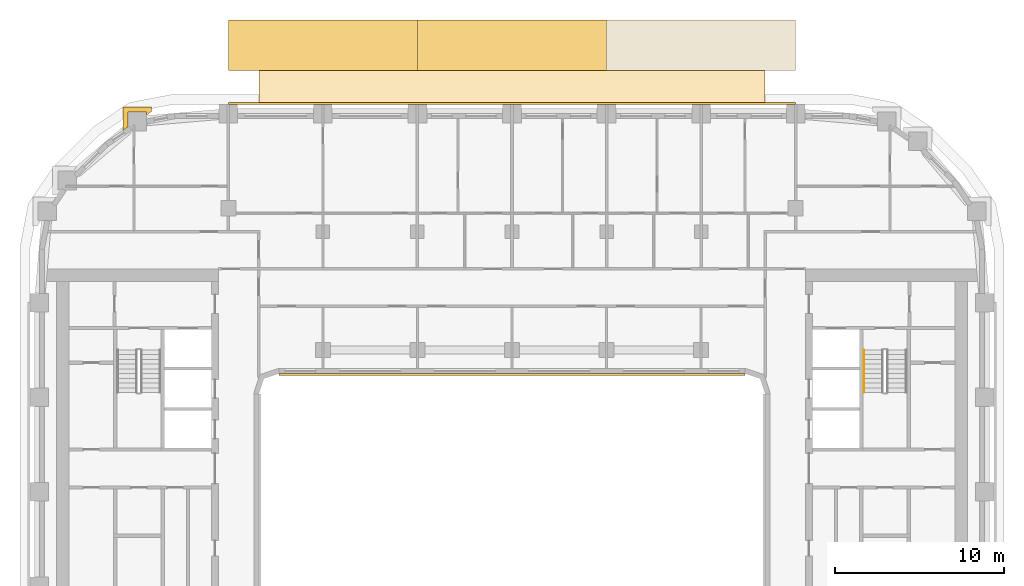
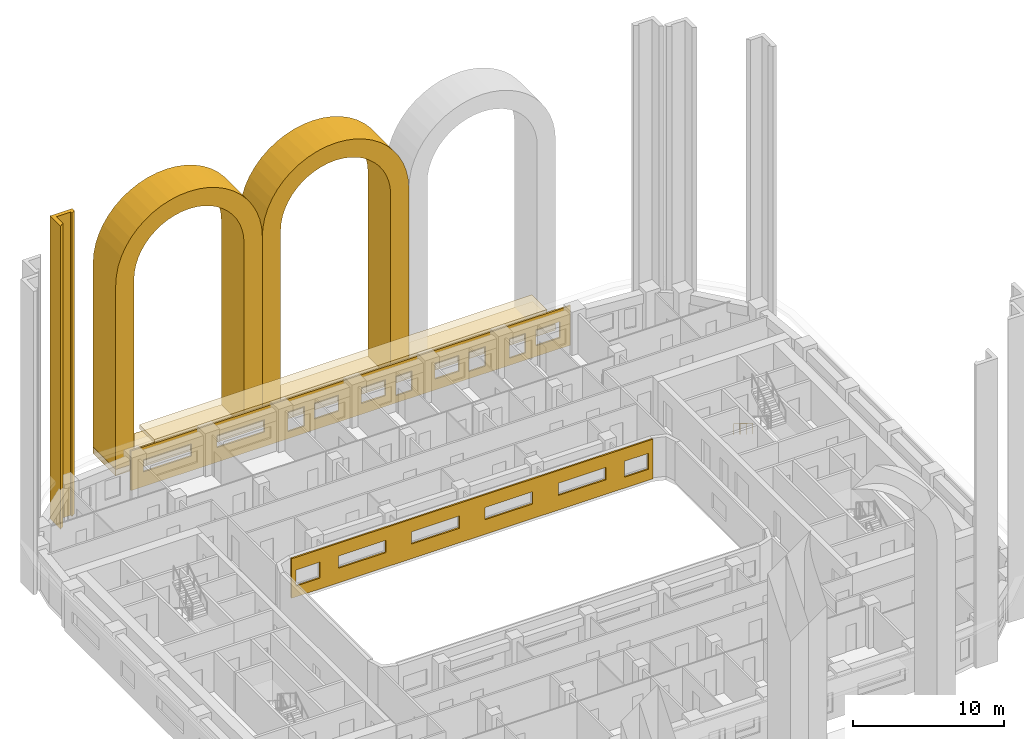
# One storey, part 17 of 18: 7 coverings, 1 railing.
"""IFC4 building model written with IfcOpenShell, lengths in metres."""

from ifc_helpers import new_model, si_unit, direction, frame, origin, origin_2d, place, context, subcontext, project, spatial, polyline, circle, outline, extrude, material, layer, layer_set, type_object, element, save


model = new_model("IFC4")

# Units and contexts
model_context = context("Model", 3, precision=1e-05, world=origin(), true_north=direction((0.0, 1.0)))
body_context = subcontext(model_context, "Body", "Model", "MODEL_VIEW")
ifc_project = project(units=[si_unit("LENGTHUNIT", "METRE"), si_unit("AREAUNIT", "SQUARE_METRE"), si_unit("VOLUMEUNIT", "CUBIC_METRE"), si_unit("PLANEANGLEUNIT", "RADIAN"), si_unit("MASSUNIT", "GRAM", prefix="KILO")], contexts=[model_context])

# Site, building, storey
site_placement = place(None, origin())
site = spatial("IfcSite", under=ifc_project, at=site_placement, CompositionType="ELEMENT")
building_placement = place(site_placement, origin())
building = spatial("IfcBuilding", under=site, at=building_placement, Name="Kiln Ring Residences", CompositionType="ELEMENT")
storey_placement = place(building_placement, frame((0.0, 0.0, 136.10009765625)))
storey = spatial("IfcBuildingStorey", under=building, at=storey_placement, Name="L34", CompositionType="ELEMENT", Elevation=136.10009765625)

# Coverings
ifc_material_1 = material(Name="Brick masonry, dark clay brick", Category="masonry")
ifc_layer_1 = layer(ifc_material_1, 0.5)
ifc_layer_set_1 = layer_set([ifc_layer_1], Name="ARCADE PLINTH 500")
covering_type_1 = type_object("IfcCoveringType", Name="ARCADE PLINTH 500", PredefinedType="CLADDING", material=ifc_layer_set_1)
placement = place(storey_placement, origin())
element("IfcCovering", 1, at=placement, inside=storey, type_object=covering_type_1, Name="ARCADE PLINTH Z3 N", PredefinedType="CLADDING", context=body_context, shape_type="SweptSolid", body=[
    extrude(outline(polyline([(-16.800048828125, 24.949951171875), (16.800048828125, 24.949951171875), (16.800048828125, 27.949951171875), (-16.800048828125, 27.949951171875), (-16.800048828125, 24.949951171875)])), origin(), (0.0, 0.0, 1.0), 0.5),
])
ifc_material_2 = material(Name="Brick masonry, dark clay brick", Category="masonry")
ifc_layer_2 = layer(ifc_material_2, 1.39990234375)
ifc_layer_set_2 = layer_set([ifc_layer_2], Name="ARCH SURROUND 3000")
covering_type_2 = type_object("IfcCoveringType", Name="ARCH SURROUND 3000", PredefinedType="CLADDING", material=ifc_layer_set_2)
covering_2_placement = place(storey_placement, frame((-16.800048828125, 26.449951171875, 0.5), z_axis=(0.0, 0.0, 1.0), x_axis=(1.0, 0.0, 0.0)))
element("IfcCovering", 2, at=covering_2_placement, inside=storey, type_object=covering_type_2, Name="ARCH SURROUND Z3 N1.1", PredefinedType="CLADDING", context=body_context, shape_type="SweptSolid", body=[
    extrude(outline(polyline([(0.0, 0.0), (0.0, 14.89990234375), (0.0478515625, 15.630859375), (0.19091796875, 16.349365234375), (0.42626953125, 17.04296875), (0.750244140625, 17.699951171875), (1.1572265625, 18.30908203125), (1.64013671875, 18.859619140625), (2.19091796875, 19.3427734375), (2.800048828125, 19.74951171875), (3.45703125, 20.073486328125), (4.150634765625, 20.30908203125), (4.869140625, 20.451904296875), (5.60009765625, 20.5), (6.330810546875, 20.451904296875), (7.04931640625, 20.30908203125), (7.742919921875, 20.073486328125), (8.39990234375, 19.74951171875), (9.009033203125, 19.3427734375), (9.559814453125, 18.859619140625), (10.042724609375, 18.30908203125), (10.44970703125, 17.699951171875), (10.773681640625, 17.04296875), (11.00927734375, 16.349365234375), (11.152099609375, 15.630859375), (11.199951171875, 14.89990234375), (11.199951171875, 0.0), (9.800048828125, 0.0), (9.800048828125, 14.89990234375), (9.76416015625, 15.447998046875), (9.656982421875, 15.98681640625), (9.480224609375, 16.50732421875), (9.2373046875, 17.0), (8.93212890625, 17.456787109375), (8.56982421875, 17.86962890625), (8.15673828125, 18.23193359375), (7.699951171875, 18.537109375), (7.207275390625, 18.7802734375), (6.68701171875, 18.956787109375), (6.148193359375, 19.06396484375), (5.60009765625, 19.099853515625), (5.0517578125, 19.06396484375), (4.512939453125, 18.956787109375), (3.99267578125, 18.7802734375), (3.5, 18.537109375), (3.043212890625, 18.23193359375), (2.630126953125, 17.86962890625), (2.267822265625, 17.456787109375), (1.962646484375, 17.0), (1.7197265625, 16.50732421875), (1.543212890625, 15.98681640625), (1.435791015625, 15.447998046875), (1.39990234375, 14.89990234375), (1.39990234375, 0.0), (0.0, 0.0)])), frame((0.0, 1.5, 0.0), z_axis=(0.0, -1.0, 0.0), x_axis=(1.0, 0.0, 0.0)), (0.0, 0.0, 1.0), 3.0),
])
covering_3_placement = place(storey_placement, frame((-5.60009765625, 26.449951171875, 0.5), z_axis=(0.0, 0.0, 1.0), x_axis=(1.0, 0.0, 0.0)))
element("IfcCovering", 3, at=covering_3_placement, inside=storey, type_object=covering_type_2, Name="ARCH SURROUND Z3 N1.2", PredefinedType="CLADDING", context=body_context, shape_type="SweptSolid", body=[
    extrude(outline(polyline([(0.0, 0.0), (0.0, 14.89990234375), (0.0478515625, 15.630859375), (0.19091796875, 16.349365234375), (0.42626953125, 17.04296875), (0.750244140625, 17.699951171875), (1.1572265625, 18.30908203125), (1.64013671875, 18.859619140625), (2.19091796875, 19.3427734375), (2.800048828125, 19.74951171875), (3.45703125, 20.073486328125), (4.150634765625, 20.30908203125), (4.869140625, 20.451904296875), (5.60009765625, 20.5), (6.330810546875, 20.451904296875), (7.04931640625, 20.30908203125), (7.742919921875, 20.073486328125), (8.39990234375, 19.74951171875), (9.009033203125, 19.3427734375), (9.559814453125, 18.859619140625), (10.042724609375, 18.30908203125), (10.44970703125, 17.699951171875), (10.773681640625, 17.04296875), (11.00927734375, 16.349365234375), (11.152099609375, 15.630859375), (11.199951171875, 14.89990234375), (11.199951171875, 0.0), (9.800048828125, 0.0), (9.800048828125, 14.89990234375), (9.76416015625, 15.447998046875), (9.656982421875, 15.98681640625), (9.480224609375, 16.50732421875), (9.2373046875, 17.0), (8.93212890625, 17.456787109375), (8.56982421875, 17.86962890625), (8.15673828125, 18.23193359375), (7.699951171875, 18.537109375), (7.207275390625, 18.7802734375), (6.68701171875, 18.956787109375), (6.148193359375, 19.06396484375), (5.60009765625, 19.099853515625), (5.0517578125, 19.06396484375), (4.512939453125, 18.956787109375), (3.99267578125, 18.7802734375), (3.5, 18.537109375), (3.043212890625, 18.23193359375), (2.630126953125, 17.86962890625), (2.267822265625, 17.456787109375), (1.962646484375, 17.0), (1.7197265625, 16.50732421875), (1.543212890625, 15.98681640625), (1.435791015625, 15.447998046875), (1.39990234375, 14.89990234375), (1.39990234375, 0.0), (0.0, 0.0)])), frame((0.0, 1.5, 0.0), z_axis=(0.0, -1.0, 0.0), x_axis=(1.0, 0.0, 0.0)), (0.0, 0.0, 1.0), 3.0),
])

# Railing
ifc_material_3 = material(Name="Stainless steel", Category="steel")
railing_type = type_object("IfcRailingType", Name="CORE-STAIR-HANDRAIL", PredefinedType="HANDRAIL", material=ifc_material_3)
railing_placement = place(storey_placement, frame((20.85009765625, 8.39990234375, 0.1748046875)))
element("IfcRailing", 4, at=railing_placement, inside=storey, type_object=railing_type, Name="L34 E-STN stair handrail 1", PredefinedType="HANDRAIL", context=body_context, shape_type="SweptSolid", body=[
    extrude(circle(Radius=0.02392578125, at=origin_2d()), frame((0.0, 0.0, 0.8759765625), z_axis=(0.0, -0.847970611238, 0.530043245855), x_axis=(1.0, 0.0, 0.0)), (0.0, 0.0, 1.0), 2.971923828125),
    extrude(circle(Radius=0.02099609375, at=origin_2d()), origin(), (0.0, 0.0, 1.0), 0.851806640625),
    extrude(circle(Radius=0.02099609375, at=origin_2d()), frame((0.0, -0.840087890625, 0.525146484375)), (0.0, 0.0, 1.0), 0.851806640625),
    extrude(circle(Radius=0.02099609375, at=origin_2d()), frame((0.0, -1.679931640625, 1.050048828125)), (0.0, 0.0, 1.0), 0.851806640625),
    extrude(circle(Radius=0.02099609375, at=origin_2d()), frame((0.0, -2.52001953125, 1.5751953125)), (0.0, 0.0, 1.0), 0.851806640625),
])

# Coverings
ifc_material_4 = material(Name="Brick masonry, dark clay brick", Category="masonry")
ifc_layer_3 = layer(ifc_material_4, 0.300048828125)
ifc_layer_set_3 = layer_set([ifc_layer_3], Name="PIER CLADDING 300")
covering_type_3 = type_object("IfcCoveringType", Name="PIER CLADDING 300", PredefinedType="CLADDING", material=ifc_layer_set_3)
element("IfcCovering", 5, at=placement, inside=storey, type_object=covering_type_3, Name="PIER CLADDING L34-L40", PredefinedType="CLADDING", context=body_context, shape_type="SweptSolid", body=[
    extrude(outline(polyline([(-21.358642578125, 22.7880859375), (-23.05859375, 22.7880859375), (-23.05859375, 21.408447265625), (-22.7587890625, 21.6123046875), (-22.7587890625, 22.488037109375), (-21.65869140625, 22.488037109375), (-21.65869140625, 22.31201171875), (-21.358642578125, 22.515869140625), (-21.358642578125, 22.7880859375)])), origin(), (0.0, 0.0, 1.0), 24.5),
])
ifc_material_5 = material(Name="Brick masonry, dark clay brick", Category="masonry")
ifc_layer_4 = layer(ifc_material_5, 0.1201171875)
ifc_layer_set_4 = layer_set([ifc_layer_4], Name="RAINSCREEN PANEL 120")
covering_type_4 = type_object("IfcCoveringType", Name="RAINSCREEN PANEL 120", PredefinedType="CLADDING", material=ifc_layer_set_4)
covering_5_placement = place(storey_placement, frame((16.800048828125, 23.010009765625, 0.0), z_axis=(0.0, 0.0, 1.0), x_axis=(-1.0, 0.0, 0.0)))
element("IfcCovering", 6, at=covering_5_placement, inside=storey, type_object=covering_type_4, Name="RAINSCREEN L34", PredefinedType="CLADDING", context=body_context, shape_type="SweptSolid", body=[
    extrude(outline(polyline([(0.0, 0.0), (33.60009765625, 0.0), (33.60009765625, 3.199951171875), (0.0, 3.199951171875), (0.0, 0.0)]), holes=[polyline([(3.4423828125, 0.579833984375), (4.6826171875, 0.579833984375), (4.6826171875, 2.169921875), (3.4423828125, 2.169921875), (3.4423828125, 0.579833984375)]), polyline([(6.517578125, 0.579833984375), (7.757568359375, 0.579833984375), (7.757568359375, 2.169921875), (6.517578125, 2.169921875), (6.517578125, 0.579833984375)]), polyline([(12.117431640625, 0.579833984375), (13.357421875, 0.579833984375), (13.357421875, 2.169921875), (12.117431640625, 2.169921875), (12.117431640625, 0.579833984375)]), polyline([(20.342529296875, 2.169921875), (20.342529296875, 0.579833984375), (21.58251953125, 0.579833984375), (21.58251953125, 2.169921875), (20.342529296875, 2.169921875)]), polyline([(0.8173828125, 2.169921875), (0.8173828125, 0.8798828125), (2.657470703125, 0.8798828125), (2.657470703125, 2.169921875), (0.8173828125, 2.169921875)]), polyline([(8.54248046875, 0.8798828125), (10.382568359375, 0.8798828125), (10.382568359375, 2.169921875), (8.54248046875, 2.169921875), (8.54248046875, 0.8798828125)]), polyline([(14.142578125, 0.8798828125), (15.982421875, 0.8798828125), (15.982421875, 2.169921875), (14.142578125, 2.169921875), (14.142578125, 0.8798828125)]), polyline([(17.717529296875, 0.8798828125), (19.5576171875, 0.8798828125), (19.5576171875, 2.169921875), (17.717529296875, 2.169921875), (17.717529296875, 0.8798828125)]), polyline([(23.3798828125, 2.169921875), (23.3798828125, 1.179931640625), (27.02001953125, 1.179931640625), (27.02001953125, 2.169921875), (23.3798828125, 2.169921875)]), polyline([(28.97998046875, 2.169921875), (28.97998046875, 1.179931640625), (32.6201171875, 1.179931640625), (32.6201171875, 2.169921875), (28.97998046875, 2.169921875)])]), frame((0.0, 0.06005859375, 0.0), z_axis=(0.0, -1.0, 0.0), x_axis=(1.0, 0.0, 0.0)), (0.0, 0.0, 1.0), 0.1201171875),
])
covering_6_placement = place(storey_placement, frame((-13.800048828125, 6.93994140625, 0.0), z_axis=(0.0, 0.0, 1.0), x_axis=(1.0, 0.0, 0.0)))
element("IfcCovering", 7, at=covering_6_placement, inside=storey, type_object=covering_type_4, Name="RAINSCREEN L34", PredefinedType="CLADDING", context=body_context, shape_type="SweptSolid", body=[
    extrude(outline(polyline([(0.0, 0.0), (27.60009765625, 0.0), (27.60009765625, 3.199951171875), (0.0, 3.199951171875), (0.0, 0.0)]), holes=[polyline([(2.1826171875, 0.8798828125), (2.1826171875, 2.169921875), (0.342529296875, 2.169921875), (0.342529296875, 0.8798828125), (2.1826171875, 0.8798828125)]), polyline([(25.41748046875, 0.8798828125), (27.257568359375, 0.8798828125), (27.257568359375, 2.169921875), (25.41748046875, 2.169921875), (25.41748046875, 0.8798828125)]), polyline([(3.580078125, 1.179931640625), (7.219970703125, 1.179931640625), (7.219970703125, 2.169921875), (3.580078125, 2.169921875), (3.580078125, 1.179931640625)]), polyline([(12.820068359375, 1.179931640625), (12.820068359375, 2.169921875), (9.179931640625, 2.169921875), (9.179931640625, 1.179931640625), (12.820068359375, 1.179931640625)]), polyline([(14.780029296875, 1.179931640625), (18.419921875, 1.179931640625), (18.419921875, 2.169921875), (14.780029296875, 2.169921875), (14.780029296875, 1.179931640625)]), polyline([(20.3798828125, 1.179931640625), (24.02001953125, 1.179931640625), (24.02001953125, 2.169921875), (20.3798828125, 2.169921875), (20.3798828125, 1.179931640625)])]), frame((0.0, 0.06005859375, 0.0), z_axis=(0.0, -1.0, 0.0), x_axis=(1.0, 0.0, 0.0)), (0.0, 0.0, 1.0), 0.1201171875),
])
ifc_material_6 = material(Name="Black powder-coated steel", Category="steel")
ifc_layer_5 = layer(ifc_material_6, 0.300048828125)
ifc_layer_set_5 = layer_set([ifc_layer_5], Name="SUNSHADE BAND 2000")
covering_type_5 = type_object("IfcCoveringType", Name="SUNSHADE BAND 2000", PredefinedType="CLADDING", material=ifc_layer_set_5)
covering_7_placement = place(storey_placement, frame((0.0, 0.0, 3.199951171875)))
element("IfcCovering", 8, at=covering_7_placement, inside=storey, type_object=covering_type_5, Name="SUNSHADE BAND L34", PredefinedType="CLADDING", context=body_context, shape_type="SweptSolid", body=[
    extrude(outline(polyline([(15.0, 24.949951171875), (-15.0, 24.949951171875), (-15.0, 22.949951171875), (15.0, 22.949951171875), (15.0, 24.949951171875)])), origin(), (0.0, 0.0, 1.0), 0.300048828125),
])

save(model, "model.ifc")
